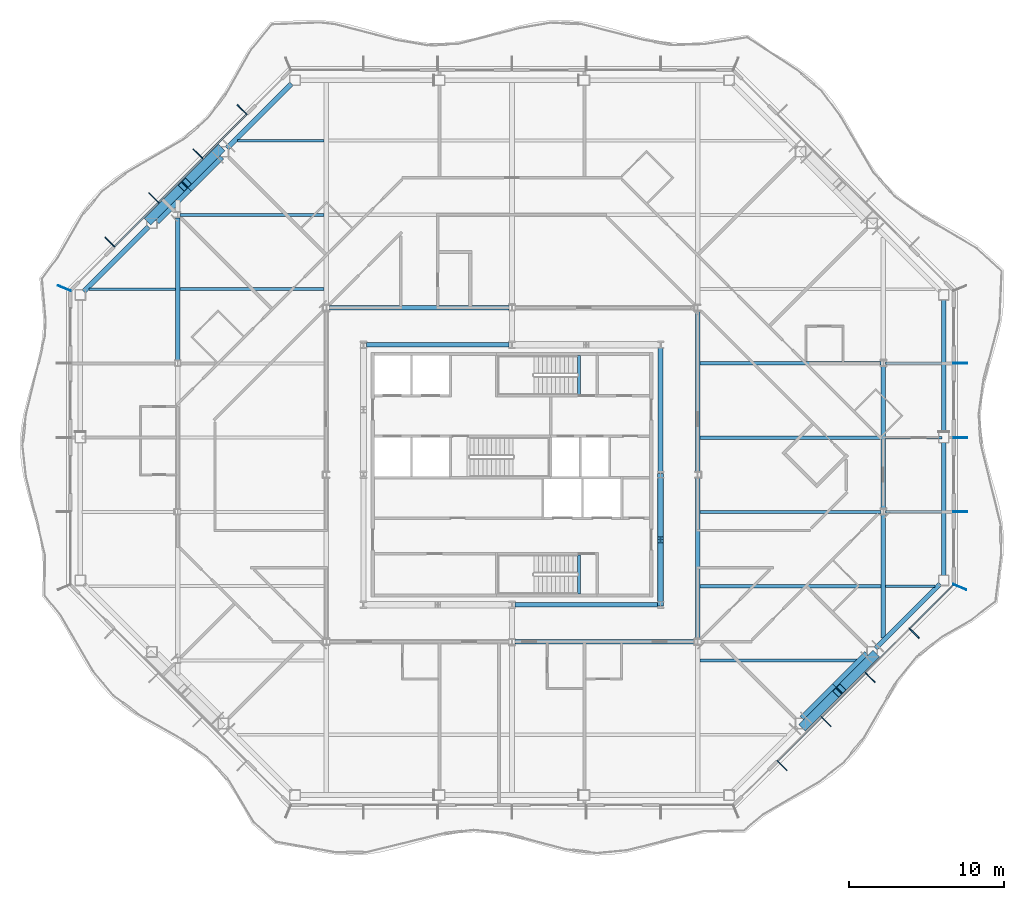
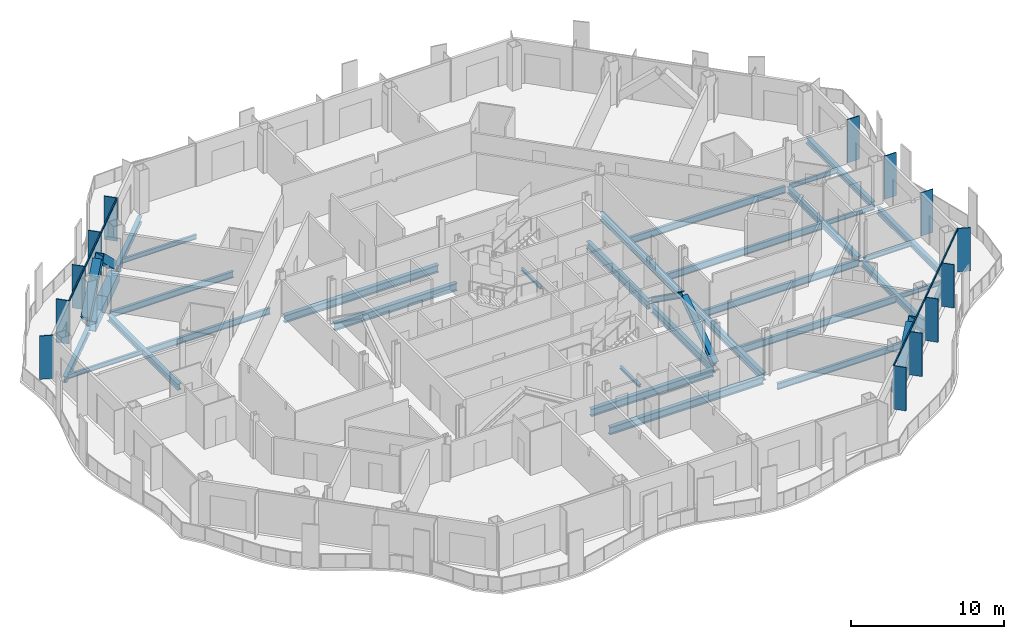
# One storey, part 4 of 21: 35 beams, 26 members, 4 elements without a shape of their own.
"""IFC4 building model written with IfcOpenShell, lengths in metres."""

from ifc_helpers import new_model, si_unit, direction, frame, origin, origin_2d, place, context, subcontext, project, spatial, rectangle, hollow_rectangle, i_section, extrude, material, material_profile, profile_set, type_object, element, aggregate, save


model = new_model("IFC4")

# Units and contexts
model_context = context("Model", 3, precision=1e-05, world=origin(), true_north=direction((0.0, 1.0)))
body_context = subcontext(model_context, "Body", "Model", "MODEL_VIEW")
ifc_project = project(units=[si_unit("LENGTHUNIT", "METRE"), si_unit("AREAUNIT", "SQUARE_METRE"), si_unit("VOLUMEUNIT", "CUBIC_METRE"), si_unit("PLANEANGLEUNIT", "RADIAN"), si_unit("MASSUNIT", "GRAM", prefix="KILO")], contexts=[model_context])

# Site, building, storey
site_placement = place(None, origin())
site = spatial("IfcSite", under=ifc_project, at=site_placement, CompositionType="ELEMENT")
building_placement = place(site_placement, origin())
building = spatial("IfcBuilding", under=site, at=building_placement, Name="Cairn Pilgrim Tower", CompositionType="ELEMENT")
storey_placement = place(building_placement, frame((0.0, 0.0, 132.60009765625)))
storey = spatial("IfcBuildingStorey", under=building, at=storey_placement, Name="L32", CompositionType="ELEMENT", Elevation=132.60009765625)

# Members
ifc_material_1 = material(Name="Structural steel S460M", Category="steel")
ifc_material_profile_1 = material_profile(ifc_material_1, hollow_rectangle(XDim=0.60009765625, YDim=0.60009765625, WallThickness=0.034912109375, at=origin_2d()), Name="BOX 600x600x35")
ifc_profile_set_1 = profile_set([ifc_material_profile_1], Name="Structural steel S460M")
member_type_1 = type_object("IfcMemberType", Name="BOX 600x600x35 BRACE", PredefinedType="BRACE", material=ifc_profile_set_1)
for number, where, z_axis, x_axis, name in (
    (1, (26.08837890625, -13.813720703125, 0.14990234375), (0.535555986925, 0.535555986925, 0.652962150311), (-0.707106781187, 0.707106781187, 0.0), "XB-SE2-SE3-1"),
    (2, (30.613525390625, -9.288330078125, 0.14990234375), (-0.535512846393, -0.535573335815, 0.652983302476), (0.707146713802, -0.707066846316, 0.0), "XB-SE2-SE3-2"),
):
    element("IfcMember", number, at=place(storey_placement, frame(where, z_axis=z_axis, x_axis=x_axis)), inside=storey, type_object=member_type_1, Name=name, PredefinedType="BRACE", context=body_context, shape_type="SweptSolid", body=[
        extrude(hollow_rectangle(XDim=0.60009765625, YDim=0.60009765625, WallThickness=0.034912109375, at=origin_2d()), origin(), (0.0, 0.0, 1.0), 4.0361328125),
    ])
member_1_placement = place(storey_placement, frame((-11.6884765625, 23.41357421875, 0.14990234375), z_axis=(-0.53553019501, -0.53553019501, 0.653004456696), x_axis=(0.707106781187, -0.707106781187, 0.0)))
element("IfcMember", 3, at=member_1_placement, inside=storey, type_object=member_type_1, Name="XB-NW2-NW3-1", PredefinedType="BRACE", context=body_context, shape_type="SweptSolid", body=[
    extrude(hollow_rectangle(XDim=0.60009765625, YDim=0.60009765625, WallThickness=0.034912109375, at=origin_2d()), origin(), (0.0, 0.0, 1.0), 4.035888671875),
])
member_2_placement = place(storey_placement, frame((-16.213623046875, 18.888427734375, 0.14990234375), z_axis=(0.535573335815, 0.535512846393, 0.652983302476), x_axis=(-0.707066846316, 0.707146713802, 0.0)))
element("IfcMember", 4, at=member_2_placement, inside=storey, type_object=member_type_1, Name="XB-NW2-NW3-2", PredefinedType="BRACE", context=body_context, shape_type="SweptSolid", body=[
    extrude(hollow_rectangle(XDim=0.60009765625, YDim=0.60009765625, WallThickness=0.034912109375, at=origin_2d()), origin(), (0.0, 0.0, 1.0), 4.0361328125),
])

# Beams
ifc_material_2 = material(Name="Structural steel S355J2", Category="steel")
ifc_material_profile_2 = material_profile(ifc_material_2, hollow_rectangle(XDim=0.699951171875, YDim=0.800048828125, WallThickness=0.0400390625, at=origin_2d()), Name="BOX 700x800x40")
ifc_profile_set_2 = profile_set([ifc_material_profile_2], Name="Structural steel S355J2")
beam_type_1 = type_object("IfcBeamType", Name="BOX 700x800x40 RING GIRDER", PredefinedType="SPANDREL", material=ifc_profile_set_2)
for number, where, z_axis, x_axis, name in (
    (5, (26.07421875, -13.452880859375, -0.550048828125), (0.707106781187, 0.707106781187, 0.0), (-0.707106781187, 0.707106781187, 0.0), "RG2-SE2-SE3-1"),
    (6, (28.16357421875, -11.363525390625, -0.550048828125), (0.707106781187, 0.707106781187, 0.0), (-0.707106781187, 0.707106781187, 0.0), "RG2-SE2-SE3-2"),
    (7, (-11.67431640625, 23.052978515625, -0.550048828125), (-0.707106781187, -0.707106781187, 0.0), (0.707106781187, -0.707106781187, 0.0), "RG2-NW2-NW3-1"),
    (8, (-13.763671875, 20.963623046875, -0.550048828125), (-0.707106781187, -0.707106781187, 0.0), (0.707106781187, -0.707106781187, 0.0), "RG2-NW2-NW3-2"),
):
    element("IfcBeam", number, at=place(storey_placement, frame(where, z_axis=z_axis, x_axis=x_axis)), inside=storey, type_object=beam_type_1, Name=name, PredefinedType="SPANDREL", context=body_context, shape_type="SweptSolid", body=[
        extrude(hollow_rectangle(XDim=0.699951171875, YDim=0.800048828125, WallThickness=0.0400390625, at=origin_2d()), origin(), (0.0, 0.0, 1.0), 2.954833984375),
    ])

# Curtain wall, members
ifc_material_3 = material(Name="Aluminium alloy 6063-T6 bronze anodised with Bronze tinted laminated low-E glass 8+16+8.8", Category="aluminium")
curtain_wall_type_1 = type_object("IfcCurtainWallType", Name="CHAMFER CORNER CURTAIN WALL", PredefinedType="NOTDEFINED", material=ifc_material_3)
curtain_wall_1_placement = place(storey_placement, origin())
curtain_wall_1 = element("IfcCurtainWall", 9, at=curtain_wall_1_placement, inside=storey, type_object=curtain_wall_type_1, Name="Chamfer Corner Curtain Wall SE", PredefinedType="NOTDEFINED")
ifc_material_4 = material(Name="Aluminium alloy 6063-T6 bronze anodised", Category="aluminium")
ifc_material_profile_3 = material_profile(ifc_material_4, rectangle(XDim=0.89990234375, YDim=0.06005859375, at=origin_2d()), Name="FIN MULLION 60x900 BRONZE")
ifc_profile_set_3 = profile_set([ifc_material_profile_3], Name="Aluminium alloy 6063-T6 bronze anodised")
member_type_2 = type_object("IfcMemberType", Name="FIN MULLION 60x900 BRONZE", PredefinedType="MULLION", material=ifc_profile_set_3)
member_3_placement = place(storey_placement, frame((24.64404296875, -16.396240234375, 0.0), z_axis=(0.0, 0.0, 1.0), x_axis=(0.707106781187, -0.707106781187, 0.0)))
member_3 = element("IfcMember", 10, at=member_3_placement, type_object=member_type_2, Name="Fin mullion SE2", PredefinedType="MULLION", context=body_context, shape_type="SweptSolid", body=[
    extrude(rectangle(XDim=0.89990234375, YDim=0.06005859375, at=origin_2d()), origin(), (0.0, 0.0, 1.0), 3.449951171875),
])
member_4_placement = place(storey_placement, frame((27.494873046875, -13.545654296875, 0.0), z_axis=(0.0, 0.0, 1.0), x_axis=(0.707106781187, -0.707106781187, 0.0)))
member_4 = element("IfcMember", 11, at=member_4_placement, type_object=member_type_2, Name="Fin mullion SE3", PredefinedType="MULLION", context=body_context, shape_type="SweptSolid", body=[
    extrude(rectangle(XDim=0.89990234375, YDim=0.06005859375, at=origin_2d()), origin(), (0.0, 0.0, 1.0), 3.449951171875),
])
member_5_placement = place(storey_placement, frame((30.345458984375, -10.69482421875, 0.0), z_axis=(0.0, 0.0, 1.0), x_axis=(0.707106781187, -0.707106781187, 0.0)))
member_5 = element("IfcMember", 12, at=member_5_placement, type_object=member_type_2, Name="Fin mullion SE4", PredefinedType="MULLION", context=body_context, shape_type="SweptSolid", body=[
    extrude(rectangle(XDim=0.89990234375, YDim=0.06005859375, at=origin_2d()), origin(), (0.0, 0.0, 1.0), 3.449951171875),
])
member_6_placement = place(storey_placement, frame((33.1962890625, -7.84423828125, 0.0), z_axis=(0.0, 0.0, 1.0), x_axis=(0.707106781187, -0.707106781187, 0.0)))
member_6 = element("IfcMember", 13, at=member_6_placement, type_object=member_type_2, Name="Fin mullion SE5", PredefinedType="MULLION", context=body_context, shape_type="SweptSolid", body=[
    extrude(rectangle(XDim=0.89990234375, YDim=0.06005859375, at=origin_2d()), origin(), (0.0, 0.0, 1.0), 3.449951171875),
])

curtain_wall_type_2 = type_object("IfcCurtainWallType", Name="TOWER STICK CURTAIN WALL EW", PredefinedType="NOTDEFINED", material=ifc_material_3)
curtain_wall_2_placement = place(storey_placement, origin())
curtain_wall_2 = element("IfcCurtainWall", 14, at=curtain_wall_2_placement, inside=storey, type_object=curtain_wall_type_2, Name="Tower Stick Curtain Wall Ew E", PredefinedType="NOTDEFINED")
member_7_placement = place(storey_placement, frame((36.137939453125, -4.857177734375, 0.0), z_axis=(0.0, 0.0, 1.0), x_axis=(0.923879532511, -0.382683432365, 0.0)))
member_7 = element("IfcMember", 15, at=member_7_placement, type_object=member_type_2, Name="Fin mullion E1", PredefinedType="MULLION", context=body_context, shape_type="SweptSolid", body=[
    extrude(rectangle(XDim=0.89990234375, YDim=0.06005859375, at=origin_2d()), origin(), (0.0, 0.0, 1.0), 3.449951171875),
])
member_8_placement = place(storey_placement, frame((36.169921875, 0.0, 0.0), z_axis=(0.0, 0.0, 1.0), x_axis=(1.0, 0.0, 0.0)))
member_8 = element("IfcMember", 16, at=member_8_placement, type_object=member_type_2, Name="Fin mullion E2", PredefinedType="MULLION", context=body_context, shape_type="SweptSolid", body=[
    extrude(rectangle(XDim=0.89990234375, YDim=0.06005859375, at=origin_2d()), origin(), (0.0, 0.0, 1.0), 3.449951171875),
])
member_9_placement = place(storey_placement, frame((36.169921875, 4.800048828125, 0.0), z_axis=(0.0, 0.0, 1.0), x_axis=(1.0, 0.0, 0.0)))
member_9 = element("IfcMember", 17, at=member_9_placement, type_object=member_type_2, Name="Fin mullion E3", PredefinedType="MULLION", context=body_context, shape_type="SweptSolid", body=[
    extrude(rectangle(XDim=0.89990234375, YDim=0.06005859375, at=origin_2d()), origin(), (0.0, 0.0, 1.0), 3.449951171875),
])
member_10_placement = place(storey_placement, frame((36.169921875, 9.60009765625, 0.0), z_axis=(0.0, 0.0, 1.0), x_axis=(1.0, 0.0, 0.0)))
member_10 = element("IfcMember", 18, at=member_10_placement, type_object=member_type_2, Name="Fin mullion E4", PredefinedType="MULLION", context=body_context, shape_type="SweptSolid", body=[
    extrude(rectangle(XDim=0.89990234375, YDim=0.06005859375, at=origin_2d()), origin(), (0.0, 0.0, 1.0), 3.449951171875),
])
aggregate(curtain_wall_2, [member_7, member_8, member_9, member_10])

curtain_wall_3_placement = place(storey_placement, origin())
curtain_wall_3 = element("IfcCurtainWall", 19, at=curtain_wall_3_placement, inside=storey, type_object=curtain_wall_type_1, Name="Chamfer Corner Curtain Wall NW", PredefinedType="NOTDEFINED")
member_11_placement = place(storey_placement, frame((-10.244140625, 25.996337890625, 0.0), z_axis=(0.0, 0.0, 1.0), x_axis=(-0.707106781187, 0.707106781187, 0.0)))
member_11 = element("IfcMember", 20, at=member_11_placement, type_object=member_type_2, Name="Fin mullion NW2", PredefinedType="MULLION", context=body_context, shape_type="SweptSolid", body=[
    extrude(rectangle(XDim=0.89990234375, YDim=0.06005859375, at=origin_2d()), origin(), (0.0, 0.0, 1.0), 3.449951171875),
])
member_12_placement = place(storey_placement, frame((-13.094970703125, 23.1455078125, 0.0), z_axis=(0.0, 0.0, 1.0), x_axis=(-0.707106781187, 0.707106781187, 0.0)))
member_12 = element("IfcMember", 21, at=member_12_placement, type_object=member_type_2, Name="Fin mullion NW3", PredefinedType="MULLION", context=body_context, shape_type="SweptSolid", body=[
    extrude(rectangle(XDim=0.89990234375, YDim=0.06005859375, at=origin_2d()), origin(), (0.0, 0.0, 1.0), 3.449951171875),
])
member_13_placement = place(storey_placement, frame((-15.945556640625, 20.294921875, 0.0), z_axis=(0.0, 0.0, 1.0), x_axis=(-0.707106781187, 0.707106781187, 0.0)))
member_13 = element("IfcMember", 22, at=member_13_placement, type_object=member_type_2, Name="Fin mullion NW4", PredefinedType="MULLION", context=body_context, shape_type="SweptSolid", body=[
    extrude(rectangle(XDim=0.89990234375, YDim=0.06005859375, at=origin_2d()), origin(), (0.0, 0.0, 1.0), 3.449951171875),
])
member_14_placement = place(storey_placement, frame((-18.79638671875, 17.444091796875, 0.0), z_axis=(0.0, 0.0, 1.0), x_axis=(-0.707106781187, 0.707106781187, 0.0)))
member_14 = element("IfcMember", 23, at=member_14_placement, type_object=member_type_2, Name="Fin mullion NW5", PredefinedType="MULLION", context=body_context, shape_type="SweptSolid", body=[
    extrude(rectangle(XDim=0.89990234375, YDim=0.06005859375, at=origin_2d()), origin(), (0.0, 0.0, 1.0), 3.449951171875),
])

# Curtain wall, member
curtain_wall_4_placement = place(storey_placement, origin())
curtain_wall_4 = element("IfcCurtainWall", 24, at=curtain_wall_4_placement, inside=storey, type_object=curtain_wall_type_2, Name="Tower Stick Curtain Wall Ew W", PredefinedType="NOTDEFINED")
member_15_placement = place(storey_placement, frame((-21.738037109375, 14.457275390625, 0.0), z_axis=(0.0, 0.0, 1.0), x_axis=(-0.923879532511, 0.382683432365, 0.0)))
member_15 = element("IfcMember", 25, at=member_15_placement, type_object=member_type_2, Name="Fin mullion W1", PredefinedType="MULLION", context=body_context, shape_type="SweptSolid", body=[
    extrude(rectangle(XDim=0.89990234375, YDim=0.06005859375, at=origin_2d()), origin(), (0.0, 0.0, 1.0), 3.449951171875),
])
aggregate(curtain_wall_4, [member_15])

# Members
ifc_material_profile_4 = material_profile(ifc_material_1, i_section(OverallWidth=0.408935546875, OverallDepth=0.425048828125, WebThickness=0.03271484375, FlangeThickness=0.052490234375, FilletRadius=0.014892578125, at=origin_2d()), Name="HD 400x421")
ifc_profile_set_4 = profile_set([ifc_material_profile_4], Name="Structural steel S460M")
member_type_3 = type_object("IfcMemberType", Name="HD 400x421 BRACE", PredefinedType="BRACE", material=ifc_profile_set_4)
for number, where, z_axis, x_axis, name in (
    (26, (16.800048828125, -5.95751953125, 0.099853515625), (0.0, 0.814281054922, 0.58047081201), (-1.0, 0.0, 0.0), "KB-2A"),
    (27, (16.800048828125, 2.357666015625, 0.099853515625), (0.0, -0.814281054922, 0.58047081201), (1.0, 0.0, 0.0), "KB-2B"),
):
    element("IfcMember", number, at=place(storey_placement, frame(where, z_axis=z_axis, x_axis=x_axis)), inside=storey, type_object=member_type_3, Name=name, PredefinedType="BRACE", context=body_context, shape_type="SweptSolid", body=[
        extrude(i_section(OverallWidth=0.408935546875, OverallDepth=0.425048828125, WebThickness=0.03271484375, FlangeThickness=0.052490234375, FilletRadius=0.014892578125, at=origin_2d()), origin(), (0.0, 0.0, 1.0), 4.99755859375),
    ])

# Beams
ifc_material_profile_5 = material_profile(ifc_material_2, i_section(OverallWidth=0.300048828125, OverallDepth=0.5, WebThickness=0.014404296875, FlangeThickness=0.028076171875, FilletRadius=0.027099609375, at=origin_2d()), Name="HEB 500")
ifc_profile_set_5 = profile_set([ifc_material_profile_5], Name="Structural steel S355J2")
beam_type_2 = type_object("IfcBeamType", Name="HEB 500 GIRDER", PredefinedType="BEAM", material=ifc_profile_set_5)
beam_1_placement = place(storey_placement, frame((-14.39990234375, 9.799560546875, -0.400146484375), z_axis=(0.0, 1.0, 0.0), x_axis=(-1.0, 0.0, 0.0)))
element("IfcBeam", 28, at=beam_1_placement, inside=storey, type_object=beam_type_2, Name="PG1-3", PredefinedType="BEAM", context=body_context, shape_type="SweptSolid", body=[
    extrude(i_section(OverallWidth=0.300048828125, OverallDepth=0.5, WebThickness=0.014404296875, FlangeThickness=0.028076171875, FilletRadius=0.027099609375, at=origin_2d()), origin(), (0.0, 0.0, 1.0), 9.200927734375),
])
beam_2_placement = place(storey_placement, frame((31.199951171875, -8.14501953125, -0.400146484375), z_axis=(0.0, 1.0, 0.0), x_axis=(-1.0, 0.0, 0.0)))
element("IfcBeam", 29, at=beam_2_placement, inside=storey, type_object=beam_type_2, Name="PG5-1", PredefinedType="BEAM", context=body_context, shape_type="SweptSolid", body=[
    extrude(i_section(OverallWidth=0.300048828125, OverallDepth=0.5, WebThickness=0.014404296875, FlangeThickness=0.028076171875, FilletRadius=0.027099609375, at=origin_2d()), origin(), (0.0, 0.0, 1.0), 7.9404296875),
])
beam_3_placement = place(storey_placement, frame((31.199951171875, 0.20458984375, -0.400146484375), z_axis=(0.0, 1.0, 0.0), x_axis=(-1.0, 0.0, 0.0)))
element("IfcBeam", 30, at=beam_3_placement, inside=storey, type_object=beam_type_2, Name="PG5-2", PredefinedType="BEAM", context=body_context, shape_type="SweptSolid", body=[
    extrude(i_section(OverallWidth=0.300048828125, OverallDepth=0.5, WebThickness=0.014404296875, FlangeThickness=0.028076171875, FilletRadius=0.027099609375, at=origin_2d()), origin(), (0.0, 0.0, 1.0), 9.19091796875),
])
ifc_material_profile_6 = material_profile(ifc_material_2, i_section(OverallWidth=0.300048828125, OverallDepth=0.5, WebThickness=0.014404296875, FlangeThickness=0.028076171875, FilletRadius=0.027099609375, at=origin_2d()), Name="HEB 500")
ifc_profile_set_6 = profile_set([ifc_material_profile_6], Name="Structural steel S355J2")
beam_type_3 = type_object("IfcBeamType", Name="HEB 500 RING GIRDER", PredefinedType="SPANDREL", material=ifc_profile_set_6)
beam_4_placement = place(storey_placement, frame((30.698486328125, -8.82861328125, -0.400146484375), z_axis=(0.707106781187, 0.707106781187, 0.0), x_axis=(-0.707106781187, 0.707106781187, 0.0)))
element("IfcBeam", 31, at=beam_4_placement, inside=storey, type_object=beam_type_3, Name="RG2-SE3-E1", PredefinedType="SPANDREL", context=body_context, shape_type="SweptSolid", body=[
    extrude(i_section(OverallWidth=0.300048828125, OverallDepth=0.5, WebThickness=0.014404296875, FlangeThickness=0.028076171875, FilletRadius=0.027099609375, at=origin_2d()), origin(), (0.0, 0.0, 1.0), 5.90966796875),
])
beam_5_placement = place(storey_placement, frame((35.10009765625, -4.1123046875, -0.400146484375), z_axis=(0.0, 1.0, 0.0), x_axis=(-1.0, 0.0, 0.0)))
element("IfcBeam", 32, at=beam_5_placement, inside=storey, type_object=beam_type_3, Name="RG2-E1-E2", PredefinedType="SPANDREL", context=body_context, shape_type="SweptSolid", body=[
    extrude(i_section(OverallWidth=0.300048828125, OverallDepth=0.5, WebThickness=0.014404296875, FlangeThickness=0.028076171875, FilletRadius=0.027099609375, at=origin_2d()), origin(), (0.0, 0.0, 1.0), 8.597412109375),
])
beam_6_placement = place(storey_placement, frame((35.10009765625, 5.114990234375, -0.400146484375), z_axis=(0.0, 1.0, 0.0), x_axis=(-1.0, 0.0, 0.0)))
element("IfcBeam", 33, at=beam_6_placement, inside=storey, type_object=beam_type_3, Name="RG2-E2-NE1", PredefinedType="SPANDREL", context=body_context, shape_type="SweptSolid", body=[
    extrude(i_section(OverallWidth=0.300048828125, OverallDepth=0.5, WebThickness=0.014404296875, FlangeThickness=0.028076171875, FilletRadius=0.027099609375, at=origin_2d()), origin(), (0.0, 0.0, 1.0), 8.59716796875),
])
for number, where, z_axis, x_axis, name in (
    (34, (-7.0498046875, 27.67724609375, -0.400146484375), (-0.707127436591, -0.707086125179, 0.0), (0.707086125179, -0.707127436591, 0.0), "RG2-NW1-NW2"),
    (35, (-16.298583984375, 18.4287109375, -0.400146484375), (-0.707106781187, -0.707106781187, 0.0), (0.707106781187, -0.707106781187, 0.0), "RG2-NW3-W1"),
):
    element("IfcBeam", number, at=place(storey_placement, frame(where, z_axis=z_axis, x_axis=x_axis)), inside=storey, type_object=beam_type_3, Name=name, PredefinedType="SPANDREL", context=body_context, shape_type="SweptSolid", body=[
        extrude(i_section(OverallWidth=0.300048828125, OverallDepth=0.5, WebThickness=0.014404296875, FlangeThickness=0.028076171875, FilletRadius=0.027099609375, at=origin_2d()), origin(), (0.0, 0.0, 1.0), 5.90966796875),
    ])
ifc_material_profile_7 = material_profile(ifc_material_2, i_section(OverallWidth=0.300048828125, OverallDepth=0.60009765625, WebThickness=0.015380859375, FlangeThickness=0.030029296875, FilletRadius=0.027099609375, at=origin_2d()), Name="HEB 600")
ifc_profile_set_7 = profile_set([ifc_material_profile_7], Name="Structural steel S355J2")
beam_type_4 = type_object("IfcBeamType", Name="HEB 600 CORE BEAM", PredefinedType="BEAM", material=ifc_profile_set_7)
beam_7_placement = place(storey_placement, frame((7.390869140625, -6.0, -0.4501953125), z_axis=(1.0, 0.0, 0.0), x_axis=(0.0, 1.0, 0.0)))
element("IfcBeam", 36, at=beam_7_placement, inside=storey, type_object=beam_type_4, Name="CB-2", PredefinedType="BEAM", context=body_context, shape_type="SweptSolid", body=[
    extrude(i_section(OverallWidth=0.300048828125, OverallDepth=0.60009765625, WebThickness=0.015380859375, FlangeThickness=0.030029296875, FilletRadius=0.027099609375, at=origin_2d()), origin(), (0.0, 0.0, 1.0), 9.21826171875),
])
for number, where, z_axis, x_axis, name in (
    (37, (16.800048828125, -5.80908203125, -0.4501953125), (0.0, 1.0, 0.0), (-1.0, 0.0, 0.0), "CB-3"),
    (38, (16.800048828125, 2.5908203125, -0.4501953125), (0.0, 1.0, 0.0), (-1.0, 0.0, 0.0), "CB-4"),
):
    element("IfcBeam", number, at=place(storey_placement, frame(where, z_axis=z_axis, x_axis=x_axis)), inside=storey, type_object=beam_type_4, Name=name, PredefinedType="BEAM", context=body_context, shape_type="SweptSolid", body=[
        extrude(i_section(OverallWidth=0.300048828125, OverallDepth=0.60009765625, WebThickness=0.015380859375, FlangeThickness=0.030029296875, FilletRadius=0.027099609375, at=origin_2d()), origin(), (0.0, 0.0, 1.0), 8.018310546875),
    ])
beam_8_placement = place(storey_placement, frame((7.00927734375, 10.800048828125, -0.4501953125), z_axis=(-1.0, 0.0, 0.0), x_axis=(0.0, -1.0, 0.0)))
element("IfcBeam", 39, at=beam_8_placement, inside=storey, type_object=beam_type_4, Name="CB-6", PredefinedType="BEAM", context=body_context, shape_type="SweptSolid", body=[
    extrude(i_section(OverallWidth=0.300048828125, OverallDepth=0.60009765625, WebThickness=0.015380859375, FlangeThickness=0.030029296875, FilletRadius=0.027099609375, at=origin_2d()), origin(), (0.0, 0.0, 1.0), 9.218505859375),
])
ifc_material_profile_8 = material_profile(ifc_material_2, i_section(OverallWidth=0.300048828125, OverallDepth=0.60009765625, WebThickness=0.015380859375, FlangeThickness=0.030029296875, FilletRadius=0.027099609375, at=origin_2d()), Name="HEB 600")
ifc_profile_set_8 = profile_set([ifc_material_profile_8], Name="Structural steel S355J2")
beam_type_5 = type_object("IfcBeamType", Name="HEB 600 GIRDER", PredefinedType="BEAM", material=ifc_profile_set_8)
for number, where, z_axis, x_axis, name in (
    (40, (19.199951171875, -8.195556640625, -0.4501953125), (0.0, 1.0, 0.0), (-1.0, 0.0, 0.0), "PG4-2"),
    (41, (19.199951171875, 2.6044921875, -0.4501953125), (0.0, 1.0, 0.0), (-1.0, 0.0, 0.0), "PG4-3"),
):
    element("IfcBeam", number, at=place(storey_placement, frame(where, z_axis=z_axis, x_axis=x_axis)), inside=storey, type_object=beam_type_5, Name=name, PredefinedType="BEAM", context=body_context, shape_type="SweptSolid", body=[
        extrude(i_section(OverallWidth=0.300048828125, OverallDepth=0.60009765625, WebThickness=0.015380859375, FlangeThickness=0.030029296875, FilletRadius=0.027099609375, at=origin_2d()), origin(), (0.0, 0.0, 1.0), 10.39111328125),
    ])
ifc_material_profile_9 = material_profile(ifc_material_2, i_section(OverallWidth=0.300048828125, OverallDepth=0.60009765625, WebThickness=0.015380859375, FlangeThickness=0.030029296875, FilletRadius=0.027099609375, at=origin_2d()), Name="HEB 600")
ifc_profile_set_9 = profile_set([ifc_material_profile_9], Name="Structural steel S355J2")
beam_type_6 = type_object("IfcBeamType", Name="HEB 600 INNER GIRDER", PredefinedType="BEAM", material=ifc_profile_set_9)
for number, where, z_axis, x_axis, name in (
    (42, (7.404541015625, -8.39990234375, -0.4501953125), (1.0, 0.0, 0.0), (0.0, 1.0, 0.0), "IG1-2"),
    (43, (-4.595458984375, 13.199951171875, -0.4501953125), (1.0, 0.0, 0.0), (0.0, 1.0, 0.0), "IG2-1"),
):
    element("IfcBeam", number, at=place(storey_placement, frame(where, z_axis=z_axis, x_axis=x_axis)), inside=storey, type_object=beam_type_6, Name=name, PredefinedType="BEAM", context=body_context, shape_type="SweptSolid", body=[
        extrude(i_section(OverallWidth=0.300048828125, OverallDepth=0.60009765625, WebThickness=0.015380859375, FlangeThickness=0.030029296875, FilletRadius=0.027099609375, at=origin_2d()), origin(), (0.0, 0.0, 1.0), 11.591064453125),
    ])
ifc_material_profile_10 = material_profile(ifc_material_2, i_section(OverallWidth=0.169921875, OverallDepth=0.360107421875, WebThickness=0.008056640625, FlangeThickness=0.0126953125, FilletRadius=0.01806640625, at=origin_2d()), Name="IPE 360")
ifc_profile_set_10 = profile_set([ifc_material_profile_10], Name="Structural steel S355J2")
beam_type_7 = type_object("IfcBeamType", Name="IPE 360 SECONDARY BEAM", PredefinedType="JOIST", material=ifc_profile_set_10)
beam_9_placement = place(storey_placement, frame((31.35009765625, -4.800048828125, -0.330078125), z_axis=(1.0, 0.0, 0.0), x_axis=(0.0, 1.0, 0.0)))
element("IfcBeam", 44, at=beam_9_placement, inside=storey, type_object=beam_type_7, Name="SB3-4", PredefinedType="JOIST", context=body_context, shape_type="SweptSolid", body=[
    extrude(i_section(OverallWidth=0.169921875, OverallDepth=0.360107421875, WebThickness=0.008056640625, FlangeThickness=0.0126953125, FilletRadius=0.01806640625, at=origin_2d()), origin(), (0.0, 0.0, 1.0), 3.195068359375),
])
for number, where, z_axis, x_axis, name in (
    (45, (31.35009765625, 0.0, -0.330078125), (1.0, 0.0, 0.0), (0.0, 1.0, 0.0), "SB4-4"),
    (46, (31.35009765625, 4.800048828125, -0.330078125), (1.0, 0.0, 0.0), (0.0, 1.0, 0.0), "SB5-4"),
    (47, (31.35009765625, 9.60009765625, -0.330078125), (1.0, 0.0, 0.0), (0.0, 1.0, 0.0), "SB6-4"),
):
    element("IfcBeam", number, at=place(storey_placement, frame(where, z_axis=z_axis, x_axis=x_axis)), inside=storey, type_object=beam_type_7, Name=name, PredefinedType="JOIST", context=body_context, shape_type="SweptSolid", body=[
        extrude(i_section(OverallWidth=0.169921875, OverallDepth=0.360107421875, WebThickness=0.008056640625, FlangeThickness=0.0126953125, FilletRadius=0.01806640625, at=origin_2d()), origin(), (0.0, 0.0, 1.0), 3.6298828125),
    ])
beam_10_placement = place(storey_placement, frame((-20.14501953125, 14.39990234375, -0.330078125), z_axis=(1.0, 0.0, 0.0), x_axis=(0.0, 1.0, 0.0)))
element("IfcBeam", 48, at=beam_10_placement, inside=storey, type_object=beam_type_7, Name="SB7-1", PredefinedType="JOIST", context=body_context, shape_type="SweptSolid", body=[
    extrude(i_section(OverallWidth=0.169921875, OverallDepth=0.360107421875, WebThickness=0.008056640625, FlangeThickness=0.0126953125, FilletRadius=0.01806640625, at=origin_2d()), origin(), (0.0, 0.0, 1.0), 5.594970703125),
])
beam_11_placement = place(storey_placement, frame((-10.545166015625, 24.0, -0.330078125), z_axis=(1.0, 0.0, 0.0), x_axis=(0.0, 1.0, 0.0)))
element("IfcBeam", 49, at=beam_11_placement, inside=storey, type_object=beam_type_7, Name="SB9-1", PredefinedType="JOIST", context=body_context, shape_type="SweptSolid", body=[
    extrude(i_section(OverallWidth=0.169921875, OverallDepth=0.360107421875, WebThickness=0.008056640625, FlangeThickness=0.0126953125, FilletRadius=0.01806640625, at=origin_2d()), origin(), (0.0, 0.0, 1.0), 5.59521484375),
])
ifc_material_profile_11 = material_profile(ifc_material_2, i_section(OverallWidth=0.199951171875, OverallDepth=0.5, WebThickness=0.01025390625, FlangeThickness=0.01611328125, FilletRadius=0.02099609375, at=origin_2d()), Name="IPE 500")
ifc_profile_set_11 = profile_set([ifc_material_profile_11], Name="Structural steel S355J2")
beam_type_8 = type_object("IfcBeamType", Name="IPE 500 SECONDARY BEAM", PredefinedType="JOIST", material=ifc_profile_set_11)
beam_12_placement = place(storey_placement, frame((19.35009765625, -9.60009765625, -0.400146484375), z_axis=(1.0, 0.0, 0.0), x_axis=(0.0, 1.0, 0.0)))
element("IfcBeam", 50, at=beam_12_placement, inside=storey, type_object=beam_type_8, Name="SB2-2", PredefinedType="JOIST", context=body_context, shape_type="SweptSolid", body=[
    extrude(i_section(OverallWidth=0.199951171875, OverallDepth=0.5, WebThickness=0.01025390625, FlangeThickness=0.01611328125, FilletRadius=0.02099609375, at=origin_2d()), origin(), (0.0, 0.0, 1.0), 10.39501953125),
])
for number, where, z_axis, x_axis, name in (
    (51, (-14.25, 14.39990234375, -0.400146484375), (1.0, 0.0, 0.0), (0.0, 1.0, 0.0), "SB7-2"),
    (52, (-14.25, 19.199951171875, -0.400146484375), (1.0, 0.0, 0.0), (0.0, 1.0, 0.0), "SB8-1"),
):
    element("IfcBeam", number, at=place(storey_placement, frame(where, z_axis=z_axis, x_axis=x_axis)), inside=storey, type_object=beam_type_8, Name=name, PredefinedType="JOIST", context=body_context, shape_type="SweptSolid", body=[
        extrude(i_section(OverallWidth=0.199951171875, OverallDepth=0.5, WebThickness=0.01025390625, FlangeThickness=0.01611328125, FilletRadius=0.02099609375, at=origin_2d()), origin(), (0.0, 0.0, 1.0), 9.300048828125),
    ])
ifc_material_profile_12 = material_profile(ifc_material_2, i_section(OverallWidth=0.2099609375, OverallDepth=0.550048828125, WebThickness=0.010986328125, FlangeThickness=0.01708984375, FilletRadius=0.02392578125, at=origin_2d()), Name="IPE 550")
ifc_profile_set_12 = profile_set([ifc_material_profile_12], Name="Structural steel S355J2")
beam_type_9 = type_object("IfcBeamType", Name="IPE 550 SECONDARY BEAM", PredefinedType="JOIST", material=ifc_profile_set_12)
for number, where, z_axis, x_axis, name in (
    (53, (19.35009765625, -4.800048828125, -0.425048828125), (1.0, 0.0, 0.0), (0.0, 1.0, 0.0), "SB3-3"),
    (54, (19.35009765625, 0.0, -0.425048828125), (1.0, 0.0, 0.0), (0.0, 1.0, 0.0), "SB4-3"),
    (55, (19.35009765625, 4.800048828125, -0.425048828125), (1.0, 0.0, 0.0), (0.0, 1.0, 0.0), "SB5-3"),
    (56, (19.35009765625, 9.60009765625, -0.425048828125), (1.0, 0.0, 0.0), (0.0, 1.0, 0.0), "SB6-3"),
):
    element("IfcBeam", number, at=place(storey_placement, frame(where, z_axis=z_axis, x_axis=x_axis)), inside=storey, type_object=beam_type_9, Name=name, PredefinedType="JOIST", context=body_context, shape_type="SweptSolid", body=[
        extrude(i_section(OverallWidth=0.2099609375, OverallDepth=0.550048828125, WebThickness=0.010986328125, FlangeThickness=0.01708984375, FilletRadius=0.02392578125, at=origin_2d()), origin(), (0.0, 0.0, 1.0), 11.699951171875),
    ])
ifc_material_profile_13 = material_profile(ifc_material_2, i_section(OverallWidth=0.199951171875, OverallDepth=0.199951171875, WebThickness=0.009033203125, FlangeThickness=0.014892578125, FilletRadius=0.01806640625, at=origin_2d()), Name="HE 200 B")
ifc_profile_set_13 = profile_set([ifc_material_profile_13], Name="Structural steel S355J2")
beam_type_10 = type_object("IfcBeamType", Name="STAIR LANDING BEAM HE 200 B", PredefinedType="BEAM", material=ifc_profile_set_13)
for number, where, z_axis, x_axis, name in (
    (57, (11.5244140625, -2.77490234375, -0.25), (0.0, -1.0, 0.0), (1.0, 0.0, 0.0), "STAIR LANDING BEAM LD-HE200B"),
    (58, (11.5244140625, 10.10009765625, -0.25), (0.0, -1.0, 0.0), (1.0, 0.0, 0.0), "STAIR LANDING BEAM LD-HE200B"),
):
    element("IfcBeam", number, at=place(storey_placement, frame(where, z_axis=z_axis, x_axis=x_axis)), inside=storey, type_object=beam_type_10, Name=name, PredefinedType="BEAM", context=body_context, shape_type="SweptSolid", body=[
        extrude(i_section(OverallWidth=0.199951171875, OverallDepth=0.199951171875, WebThickness=0.009033203125, FlangeThickness=0.014892578125, FilletRadius=0.01806640625, at=origin_2d()), origin(), (0.0, 0.0, 1.0), 2.525146484375),
    ])

# Member
ifc_material_profile_14 = material_profile(ifc_material_4, rectangle(XDim=0.080078125, YDim=0.14990234375, at=origin_2d()), Name="TRANSOM 80x150 BRONZE")
ifc_profile_set_14 = profile_set([ifc_material_profile_14], Name="Aluminium alloy 6063-T6 bronze anodised")
member_type_4 = type_object("IfcMemberType", Name="TRANSOM 80x150 BRONZE", PredefinedType="USERDEFINED", material=ifc_profile_set_14)
member_16_placement = place(storey_placement, frame((24.368408203125, -16.078125, 3.375), z_axis=(0.707106781187, 0.707106781187, 0.0), x_axis=(-0.707106781187, 0.707106781187, 0.0)))
member_16 = element("IfcMember", 59, at=member_16_placement, type_object=member_type_4, Name="Transom SE2", ObjectType="TRANSOM", PredefinedType="USERDEFINED", context=body_context, shape_type="SweptSolid", body=[
    extrude(rectangle(XDim=0.080078125, YDim=0.14990234375, at=origin_2d()), origin(), (0.0, 0.0, 1.0), 3.9716796875),
])

member_17_placement = place(storey_placement, frame((27.218994140625, -13.227294921875, 3.375), z_axis=(0.70713751761, 0.707076043427, 0.0), x_axis=(-0.707076043427, 0.70713751761, 0.0)))
member_17 = element("IfcMember", 60, at=member_17_placement, type_object=member_type_4, Name="Transom SE3", ObjectType="TRANSOM", PredefinedType="USERDEFINED", context=body_context, shape_type="SweptSolid", body=[
    extrude(rectangle(XDim=0.080078125, YDim=0.14990234375, at=origin_2d()), origin(), (0.0, 0.0, 1.0), 3.971435546875),
])

member_18_placement = place(storey_placement, frame((30.06982421875, -10.376708984375, 3.375), z_axis=(0.707106781187, 0.707106781187, 0.0), x_axis=(-0.707106781187, 0.707106781187, 0.0)))
member_18 = element("IfcMember", 61, at=member_18_placement, type_object=member_type_4, Name="Transom SE4", ObjectType="TRANSOM", PredefinedType="USERDEFINED", context=body_context, shape_type="SweptSolid", body=[
    extrude(rectangle(XDim=0.080078125, YDim=0.14990234375, at=origin_2d()), origin(), (0.0, 0.0, 1.0), 3.9716796875),
])

member_19_placement = place(storey_placement, frame((32.92041015625, -7.52587890625, 3.375), z_axis=(0.707106781187, 0.707106781187, 0.0), x_axis=(-0.707106781187, 0.707106781187, 0.0)))
member_19 = element("IfcMember", 62, at=member_19_placement, type_object=member_type_4, Name="Transom SE5", ObjectType="TRANSOM", PredefinedType="USERDEFINED", context=body_context, shape_type="SweptSolid", body=[
    extrude(rectangle(XDim=0.080078125, YDim=0.14990234375, at=origin_2d()), origin(), (0.0, 0.0, 1.0), 3.961669921875),
])

aggregate(curtain_wall_1, [member_3, member_4, member_5, member_6, member_16, member_17, member_18, member_19])

member_20_placement = place(storey_placement, frame((-9.96826171875, 25.677978515625, 3.375), z_axis=(-0.70713751761, -0.707076043427, 0.0), x_axis=(0.707076043427, -0.70713751761, 0.0)))
member_20 = element("IfcMember", 63, at=member_20_placement, type_object=member_type_4, Name="Transom NW2", ObjectType="TRANSOM", PredefinedType="USERDEFINED", context=body_context, shape_type="SweptSolid", body=[
    extrude(rectangle(XDim=0.080078125, YDim=0.14990234375, at=origin_2d()), origin(), (0.0, 0.0, 1.0), 3.971435546875),
])

member_21_placement = place(storey_placement, frame((-12.819091796875, 22.827392578125, 3.375), z_axis=(-0.707106781187, -0.707106781187, 0.0), x_axis=(0.707106781187, -0.707106781187, 0.0)))
member_21 = element("IfcMember", 64, at=member_21_placement, type_object=member_type_4, Name="Transom NW3", ObjectType="TRANSOM", PredefinedType="USERDEFINED", context=body_context, shape_type="SweptSolid", body=[
    extrude(rectangle(XDim=0.080078125, YDim=0.14990234375, at=origin_2d()), origin(), (0.0, 0.0, 1.0), 3.9716796875),
])

member_22_placement = place(storey_placement, frame((-15.669677734375, 19.9765625, 3.375), z_axis=(-0.70713751761, -0.707076043427, 0.0), x_axis=(0.707076043427, -0.70713751761, 0.0)))
member_22 = element("IfcMember", 65, at=member_22_placement, type_object=member_type_4, Name="Transom NW4", ObjectType="TRANSOM", PredefinedType="USERDEFINED", context=body_context, shape_type="SweptSolid", body=[
    extrude(rectangle(XDim=0.080078125, YDim=0.14990234375, at=origin_2d()), origin(), (0.0, 0.0, 1.0), 3.971435546875),
])

aggregate(curtain_wall_3, [member_11, member_12, member_13, member_14, member_20, member_21, member_22])

save(model, "model.ifc")
